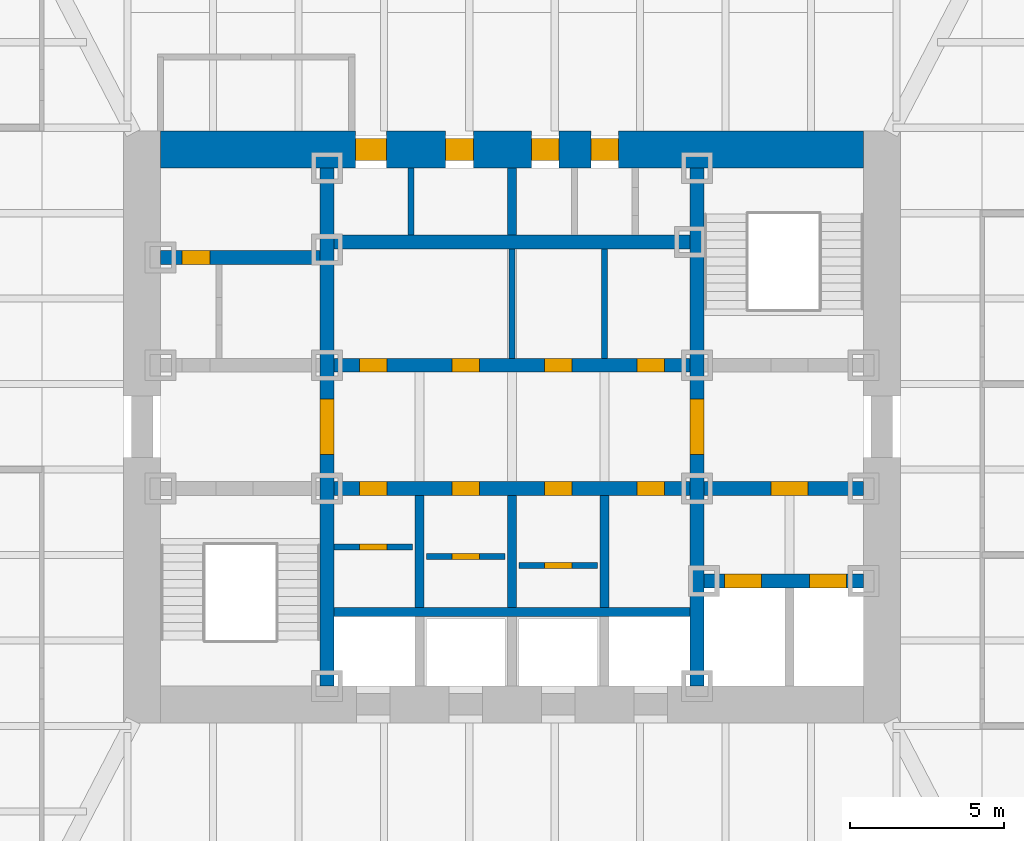
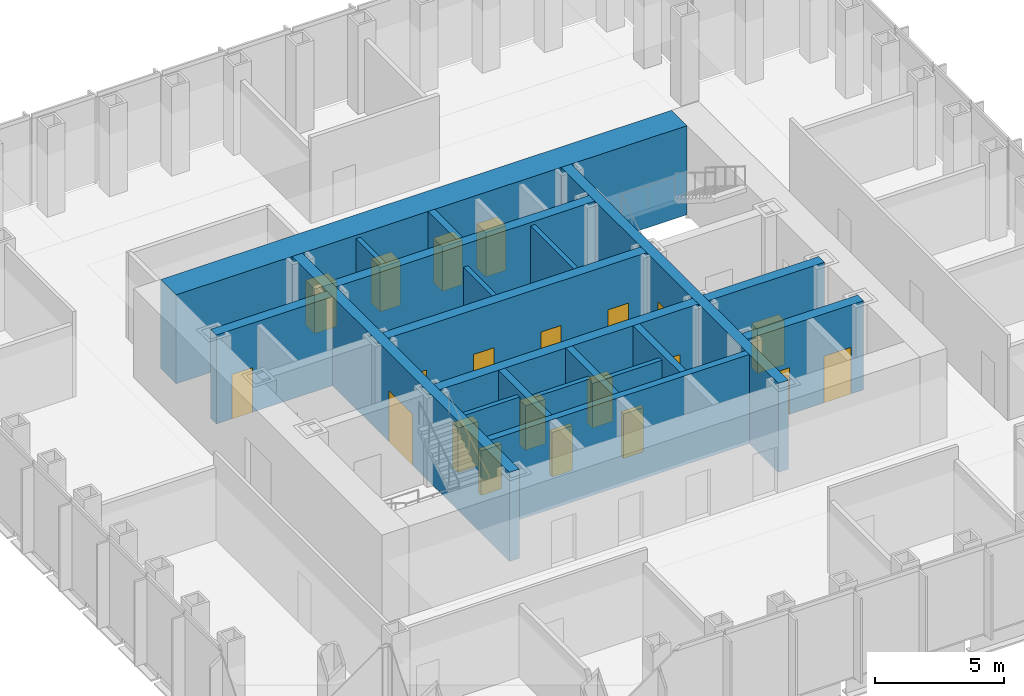
# One storey, part 9 of 16: 21 doors, 20 walls, 21 openings.
"""IFC4 building model written with IfcOpenShell, lengths in metres."""

from ifc_helpers import new_model, si_unit, direction, frame, frame_2d, origin, place, context, subcontext, project, spatial, rectangle, extrude, material, layer, layer_set, type_object, element, fill, save


model = new_model("IFC4")

# Units and contexts
model_context = context("Model", 3, precision=1e-05, world=origin(), true_north=direction((0.0, 1.0)))
body_context = subcontext(model_context, "Body", "Model", "MODEL_VIEW")
ifc_project = project(units=[si_unit("LENGTHUNIT", "METRE"), si_unit("AREAUNIT", "SQUARE_METRE"), si_unit("VOLUMEUNIT", "CUBIC_METRE"), si_unit("PLANEANGLEUNIT", "RADIAN"), si_unit("MASSUNIT", "GRAM", prefix="KILO")], contexts=[model_context])

# Site, building, storey
site_placement = place(None, origin())
site = spatial("IfcSite", under=ifc_project, at=site_placement, CompositionType="ELEMENT")
building_placement = place(site_placement, origin())
building = spatial("IfcBuilding", under=site, at=building_placement, Name="Daluyong Arena Tower", CompositionType="ELEMENT")
storey_placement = place(building_placement, frame((0.0, 0.0, 267.10009765625)))
storey = spatial("IfcBuildingStorey", under=building, at=storey_placement, Name="L60", CompositionType="ELEMENT", Elevation=267.10009765625)

# Wall, opening, door
ifc_material_1 = material(Name="Concrete fc' 45 MPa", Category="concrete")
ifc_layer_1 = layer(ifc_material_1, 0.449951171875)
ifc_layer_set_1 = layer_set([ifc_layer_1], Name="Concrete fc' 45 MPa")
wall_type_1 = type_object("IfcWallType", Name="Core inner wall 450", PredefinedType="SHEAR", material=ifc_layer_set_1)
wall_1_placement = place(storey_placement, frame((50.0, 71.60009765625, 0.0), z_axis=(0.0, 0.0, 1.0), x_axis=(0.0, 1.0, 0.0)))
wall_1 = element("IfcWall", 1, at=wall_1_placement, inside=storey, type_object=wall_type_1, Name="core inner wall at L60", PredefinedType="SHEAR", context=body_context, shape_type="SweptSolid", body=[
    extrude(rectangle(XDim=16.7998046875, YDim=0.449951171875, at=frame_2d((8.39990234375, 0.0))), origin(), (0.0, 0.0, 1.0), 4.199951171875),
])
opening_1_placement = place(wall_1_placement, frame((7.5, 0.0, 0.0)))
opening_1 = element("IfcOpeningElement", 2, at=opening_1_placement, cuts=wall_1, Name="Opening 60024", PredefinedType="OPENING", context=body_context, shape_type="SweptSolid", body=[
    extrude(rectangle(XDim=1.800048828125, YDim=2.39990234375, at=frame_2d((0.89990234375, 1.199951171875))), frame((0.0, 0.23486328125, 0.0), z_axis=(0.0, -1.0, 0.0), x_axis=(1.0, 0.0, 0.0)), (0.0, 0.0, 1.0), 0.469970703125),
])
ifc_material_2 = material(Name="Steel door, fire rated", Category="steel")
door_type_1 = type_object("IfcDoorType", Name="Lift lobby opening door 1800", OperationType="DOUBLE_DOOR_SINGLE_SWING", PredefinedType="DOOR", material=ifc_material_2)
door_1_placement = place(opening_1_placement, origin())
door_1 = element("IfcDoor", 3, at=door_1_placement, inside=storey, type_object=door_type_1, Name="lift lobby door west 60024", OperationType="DOUBLE_DOOR_SINGLE_SWING", OverallHeight=2.39990234375, OverallWidth=1.800048828125, PredefinedType="DOOR", context=body_context, shape_type="SweptSolid", body=[
    extrude(rectangle(XDim=1.800048828125, YDim=2.39990234375, at=frame_2d((0.89990234375, 1.199951171875))), frame((0.0, 0.224609375, 0.0), z_axis=(0.0, -1.0, 0.0), x_axis=(1.0, 0.0, 0.0)), (0.0, 0.0, 1.0), 0.449462890625),
])
fill(opening_1, door_1)

wall_2_placement = place(storey_placement, frame((62.0, 71.60009765625, 0.0), z_axis=(0.0, 0.0, 1.0), x_axis=(0.0, 1.0, 0.0)))
wall_2 = element("IfcWall", 4, at=wall_2_placement, inside=storey, type_object=wall_type_1, Name="core inner wall at L60", PredefinedType="SHEAR", context=body_context, shape_type="SweptSolid", body=[
    extrude(rectangle(XDim=16.7998046875, YDim=0.449951171875, at=frame_2d((8.39990234375, 0.0))), origin(), (0.0, 0.0, 1.0), 4.199951171875),
])
opening_2_placement = place(wall_2_placement, frame((7.5, 0.0, 0.0)))
opening_2 = element("IfcOpeningElement", 5, at=opening_2_placement, cuts=wall_2, Name="Opening 60025", PredefinedType="OPENING", context=body_context, shape_type="SweptSolid", body=[
    extrude(rectangle(XDim=1.800048828125, YDim=2.39990234375, at=frame_2d((0.89990234375, 1.199951171875))), frame((0.0, 0.23486328125, 0.0), z_axis=(0.0, -1.0, 0.0), x_axis=(1.0, 0.0, 0.0)), (0.0, 0.0, 1.0), 0.469970703125),
])
door_2_placement = place(opening_2_placement, origin())
door_2 = element("IfcDoor", 6, at=door_2_placement, inside=storey, type_object=door_type_1, Name="lift lobby door east 60025", OperationType="DOUBLE_DOOR_SINGLE_SWING", OverallHeight=2.39990234375, OverallWidth=1.800048828125, PredefinedType="DOOR", context=body_context, shape_type="SweptSolid", body=[
    extrude(rectangle(XDim=1.800048828125, YDim=2.39990234375, at=frame_2d((0.89990234375, 1.199951171875))), frame((0.0, 0.224609375, 0.0), z_axis=(0.0, -1.0, 0.0), x_axis=(1.0, 0.0, 0.0)), (0.0, 0.0, 1.0), 0.449462890625),
])
fill(opening_2, door_2)

wall_3_placement = place(storey_placement, frame((44.60009765625, 85.5, 0.0), z_axis=(0.0, 0.0, 1.0), x_axis=(1.0, 0.0, 0.0)))
wall_3 = element("IfcWall", 7, at=wall_3_placement, inside=storey, type_object=wall_type_1, Name="core inner wall at L60", PredefinedType="SHEAR", context=body_context, shape_type="SweptSolid", body=[
    extrude(rectangle(XDim=5.1748046875, YDim=0.449951171875, at=frame_2d((2.58740234375, 0.0))), origin(), (0.0, 0.0, 1.0), 4.199951171875),
])
opening_3_placement = place(wall_3_placement, frame((0.699951171875, 0.0, 0.0)))
opening_3 = element("IfcOpeningElement", 8, at=opening_3_placement, cuts=wall_3, Name="Opening 60003", PredefinedType="OPENING", context=body_context, shape_type="SweptSolid", body=[
    extrude(rectangle(XDim=0.89990234375, YDim=2.10009765625, at=frame_2d((0.449951171875, 1.050048828125))), frame((0.0, 0.23486328125, 0.0), z_axis=(0.0, -1.0, 0.0), x_axis=(1.0, 0.0, 0.0)), (0.0, 0.0, 1.0), 0.469970703125),
])
ifc_material_3 = material(Name="Timber door", Category="wood")
door_type_2 = type_object("IfcDoorType", Name="Toilet door 900", OperationType="SINGLE_SWING_RIGHT", PredefinedType="DOOR", material=ifc_material_3)
door_3_placement = place(opening_3_placement, origin())
door_3 = element("IfcDoor", 9, at=door_3_placement, inside=storey, type_object=door_type_2, Name="female toilet door 60003", OperationType="SINGLE_SWING_RIGHT", OverallHeight=2.10009765625, OverallWidth=0.89990234375, PredefinedType="DOOR", context=body_context, shape_type="SweptSolid", body=[
    extrude(rectangle(XDim=0.89990234375, YDim=2.10009765625, at=frame_2d((0.449951171875, 1.050048828125))), frame((0.0, 0.224609375, 0.0), z_axis=(0.0, -1.0, 0.0), x_axis=(1.0, 0.0, 0.0)), (0.0, 0.0, 1.0), 0.449462890625),
])
fill(opening_3, door_3)

# Wall, openings, doors
wall_4_placement = place(storey_placement, frame((62.22509765625, 75.0, 0.0), z_axis=(0.0, 0.0, 1.0), x_axis=(1.0, 0.0, 0.0)))
wall_4 = element("IfcWall", 10, at=wall_4_placement, inside=storey, type_object=wall_type_1, Name="core inner wall at L60", PredefinedType="SHEAR", context=body_context, shape_type="SweptSolid", body=[
    extrude(rectangle(XDim=5.1748046875, YDim=0.449951171875, at=frame_2d((2.58740234375, 0.0))), origin(), (0.0, 0.0, 1.0), 4.199951171875),
])
opening_4_placement = place(wall_4_placement, frame((0.675048828125, 0.0, 0.0)))
opening_4 = element("IfcOpeningElement", 11, at=opening_4_placement, cuts=wall_4, Name="Opening 60031", PredefinedType="OPENING", context=body_context, shape_type="SweptSolid", body=[
    extrude(rectangle(XDim=1.199951171875, YDim=2.199951171875, at=frame_2d((0.60009765625, 1.10009765625))), frame((0.0, 0.23486328125, 0.0), z_axis=(0.0, -1.0, 0.0), x_axis=(1.0, 0.0, 0.0)), (0.0, 0.0, 1.0), 0.469970703125),
])
opening_5_placement = place(wall_4_placement, frame((3.425048828125, 0.0, 0.0)))
opening_5 = element("IfcOpeningElement", 12, at=opening_5_placement, cuts=wall_4, Name="Opening 60032", PredefinedType="OPENING", context=body_context, shape_type="SweptSolid", body=[
    extrude(rectangle(XDim=1.199951171875, YDim=2.199951171875, at=frame_2d((0.60009765625, 1.10009765625))), frame((0.0, 0.23486328125, 0.0), z_axis=(0.0, -1.0, 0.0), x_axis=(1.0, 0.0, 0.0)), (0.0, 0.0, 1.0), 0.469970703125),
])
ifc_material_4 = material(Name="Steel door, fire rated", Category="steel")
door_type_3 = type_object("IfcDoorType", Name="Firefighting lift landing door 1200", OperationType="SLIDING_TO_LEFT", PredefinedType="DOOR", material=ifc_material_4)
door_4_placement = place(opening_4_placement, origin())
door_4 = element("IfcDoor", 13, at=door_4_placement, inside=storey, type_object=door_type_3, Name="firefighting lift landing door F1 60031", OperationType="SLIDING_TO_LEFT", OverallHeight=2.199951171875, OverallWidth=1.199951171875, PredefinedType="DOOR", context=body_context, shape_type="SweptSolid", body=[
    extrude(rectangle(XDim=1.199951171875, YDim=2.199951171875, at=frame_2d((0.60009765625, 1.10009765625))), frame((0.0, 0.224609375, 0.0), z_axis=(0.0, -1.0, 0.0), x_axis=(1.0, 0.0, 0.0)), (0.0, 0.0, 1.0), 0.449462890625),
])
fill(opening_4, door_4)
door_5_placement = place(opening_5_placement, origin())
door_5 = element("IfcDoor", 14, at=door_5_placement, inside=storey, type_object=door_type_3, Name="firefighting lift landing door F2 60032", OperationType="SLIDING_TO_LEFT", OverallHeight=2.199951171875, OverallWidth=1.199951171875, PredefinedType="DOOR", context=body_context, shape_type="SweptSolid", body=[
    extrude(rectangle(XDim=1.199951171875, YDim=2.199951171875, at=frame_2d((0.60009765625, 1.10009765625))), frame((0.0, 0.224609375, 0.0), z_axis=(0.0, -1.0, 0.0), x_axis=(1.0, 0.0, 0.0)), (0.0, 0.0, 1.0), 0.449462890625),
])
fill(opening_5, door_5)

# Wall, opening, door
wall_5_placement = place(storey_placement, frame((62.22509765625, 78.0, 0.0), z_axis=(0.0, 0.0, 1.0), x_axis=(1.0, 0.0, 0.0)))
wall_5 = element("IfcWall", 15, at=wall_5_placement, inside=storey, type_object=wall_type_1, Name="core inner wall at L60", PredefinedType="SHEAR", context=body_context, shape_type="SweptSolid", body=[
    extrude(rectangle(XDim=5.1748046875, YDim=0.449951171875, at=frame_2d((2.58740234375, 0.0))), origin(), (0.0, 0.0, 1.0), 4.199951171875),
])
opening_6_placement = place(wall_5_placement, frame((2.175048828125, 0.0, 0.0)))
opening_6 = element("IfcOpeningElement", 16, at=opening_6_placement, cuts=wall_5, Name="Opening 60026", PredefinedType="OPENING", context=body_context, shape_type="SweptSolid", body=[
    extrude(rectangle(XDim=1.199951171875, YDim=2.10009765625, at=frame_2d((0.60009765625, 1.050048828125))), frame((0.0, 0.23486328125, 0.0), z_axis=(0.0, -1.0, 0.0), x_axis=(1.0, 0.0, 0.0)), (0.0, 0.0, 1.0), 0.469970703125),
])
ifc_material_5 = material(Name="Steel door, fire rated", Category="steel")
door_type_4 = type_object("IfcDoorType", Name="Firefighting lobby door 1200", OperationType="SINGLE_SWING_RIGHT", PredefinedType="DOOR", material=ifc_material_5)
door_6_placement = place(opening_6_placement, origin())
door_6 = element("IfcDoor", 17, at=door_6_placement, inside=storey, type_object=door_type_4, Name="firefighting lobby door 60026", OperationType="SINGLE_SWING_RIGHT", OverallHeight=2.10009765625, OverallWidth=1.199951171875, PredefinedType="DOOR", context=body_context, shape_type="SweptSolid", body=[
    extrude(rectangle(XDim=1.199951171875, YDim=2.10009765625, at=frame_2d((0.60009765625, 1.050048828125))), frame((0.0, 0.224609375, 0.0), z_axis=(0.0, -1.0, 0.0), x_axis=(1.0, 0.0, 0.0)), (0.0, 0.0, 1.0), 0.449462890625),
])
fill(opening_6, door_6)

# Wall, openings, doors
wall_6_placement = place(storey_placement, frame((50.22509765625, 78.0, 0.0), z_axis=(0.0, 0.0, 1.0), x_axis=(1.0, 0.0, 0.0)))
wall_6 = element("IfcWall", 18, at=wall_6_placement, inside=storey, type_object=wall_type_1, Name="core inner wall at L60", PredefinedType="SHEAR", context=body_context, shape_type="SweptSolid", body=[
    extrude(rectangle(XDim=11.5498046875, YDim=0.449951171875, at=frame_2d((5.77490234375, 0.0))), origin(), (0.0, 0.0, 1.0), 4.199951171875),
])
opening_7_placement = place(wall_6_placement, frame((0.824951171875, 0.0, 0.0)))
opening_7 = element("IfcOpeningElement", 19, at=opening_7_placement, cuts=wall_6, Name="Opening 60009", PredefinedType="OPENING", context=body_context, shape_type="SweptSolid", body=[
    extrude(rectangle(XDim=0.89990234375, YDim=2.10009765625, at=frame_2d((0.449951171875, 1.050048828125))), frame((0.0, 0.23486328125, 0.0), z_axis=(0.0, -1.0, 0.0), x_axis=(1.0, 0.0, 0.0)), (0.0, 0.0, 1.0), 0.469970703125),
])
opening_8_placement = place(wall_6_placement, frame((3.824951171875, 0.0, 0.0)))
opening_8 = element("IfcOpeningElement", 20, at=opening_8_placement, cuts=wall_6, Name="Opening 60011", PredefinedType="OPENING", context=body_context, shape_type="SweptSolid", body=[
    extrude(rectangle(XDim=0.89990234375, YDim=2.10009765625, at=frame_2d((0.449951171875, 1.050048828125))), frame((0.0, 0.23486328125, 0.0), z_axis=(0.0, -1.0, 0.0), x_axis=(1.0, 0.0, 0.0)), (0.0, 0.0, 1.0), 0.469970703125),
])
opening_9_placement = place(wall_6_placement, frame((6.824951171875, 0.0, 0.0)))
opening_9 = element("IfcOpeningElement", 21, at=opening_9_placement, cuts=wall_6, Name="Opening 60013", PredefinedType="OPENING", context=body_context, shape_type="SweptSolid", body=[
    extrude(rectangle(XDim=0.89990234375, YDim=2.10009765625, at=frame_2d((0.449951171875, 1.050048828125))), frame((0.0, 0.23486328125, 0.0), z_axis=(0.0, -1.0, 0.0), x_axis=(1.0, 0.0, 0.0)), (0.0, 0.0, 1.0), 0.469970703125),
])
opening_10_placement = place(wall_6_placement, frame((9.824951171875, 0.0, 0.0)))
opening_10 = element("IfcOpeningElement", 22, at=opening_10_placement, cuts=wall_6, Name="Opening 60015", PredefinedType="OPENING", context=body_context, shape_type="SweptSolid", body=[
    extrude(rectangle(XDim=0.89990234375, YDim=2.10009765625, at=frame_2d((0.449951171875, 1.050048828125))), frame((0.0, 0.23486328125, 0.0), z_axis=(0.0, -1.0, 0.0), x_axis=(1.0, 0.0, 0.0)), (0.0, 0.0, 1.0), 0.469970703125),
])
ifc_material_6 = material(Name="Steel door, fire rated", Category="steel")
door_type_5 = type_object("IfcDoorType", Name="Core store door 900", OperationType="SINGLE_SWING_LEFT", PredefinedType="DOOR", material=ifc_material_6)
door_7_placement = place(opening_7_placement, origin())
door_7 = element("IfcDoor", 23, at=door_7_placement, inside=storey, type_object=door_type_5, Name="stationery store door 60009", OperationType="SINGLE_SWING_LEFT", OverallHeight=2.10009765625, OverallWidth=0.89990234375, PredefinedType="DOOR", context=body_context, shape_type="SweptSolid", body=[
    extrude(rectangle(XDim=0.89990234375, YDim=2.10009765625, at=frame_2d((0.449951171875, 1.050048828125))), frame((0.0, 0.224609375, 0.0), z_axis=(0.0, -1.0, 0.0), x_axis=(1.0, 0.0, 0.0)), (0.0, 0.0, 1.0), 0.449462890625),
])
fill(opening_7, door_7)
door_8_placement = place(opening_8_placement, origin())
door_8 = element("IfcDoor", 24, at=door_8_placement, inside=storey, type_object=door_type_5, Name="facilities store door 60011", OperationType="SINGLE_SWING_LEFT", OverallHeight=2.10009765625, OverallWidth=0.89990234375, PredefinedType="DOOR", context=body_context, shape_type="SweptSolid", body=[
    extrude(rectangle(XDim=0.89990234375, YDim=2.10009765625, at=frame_2d((0.449951171875, 1.050048828125))), frame((0.0, 0.224609375, 0.0), z_axis=(0.0, -1.0, 0.0), x_axis=(1.0, 0.0, 0.0)), (0.0, 0.0, 1.0), 0.449462890625),
])
fill(opening_8, door_8)
door_9_placement = place(opening_9_placement, origin())
door_9 = element("IfcDoor", 25, at=door_9_placement, inside=storey, type_object=door_type_5, Name="tenant store door 60013", OperationType="SINGLE_SWING_LEFT", OverallHeight=2.10009765625, OverallWidth=0.89990234375, PredefinedType="DOOR", context=body_context, shape_type="SweptSolid", body=[
    extrude(rectangle(XDim=0.89990234375, YDim=2.10009765625, at=frame_2d((0.449951171875, 1.050048828125))), frame((0.0, 0.224609375, 0.0), z_axis=(0.0, -1.0, 0.0), x_axis=(1.0, 0.0, 0.0)), (0.0, 0.0, 1.0), 0.449462890625),
])
fill(opening_9, door_9)
ifc_material_7 = material(Name="Steel door, fire rated", Category="steel")
door_type_6 = type_object("IfcDoorType", Name="Plant room door 900", OperationType="SINGLE_SWING_LEFT", PredefinedType="DOOR", material=ifc_material_7)
door_10_placement = place(opening_10_placement, origin())
door_10 = element("IfcDoor", 26, at=door_10_placement, inside=storey, type_object=door_type_6, Name="comms room door 60015", OperationType="SINGLE_SWING_LEFT", OverallHeight=2.10009765625, OverallWidth=0.89990234375, PredefinedType="DOOR", context=body_context, shape_type="SweptSolid", body=[
    extrude(rectangle(XDim=0.89990234375, YDim=2.10009765625, at=frame_2d((0.449951171875, 1.050048828125))), frame((0.0, 0.224609375, 0.0), z_axis=(0.0, -1.0, 0.0), x_axis=(1.0, 0.0, 0.0)), (0.0, 0.0, 1.0), 0.449462890625),
])
fill(opening_10, door_10)

wall_7_placement = place(storey_placement, frame((50.22509765625, 82.0, 0.0), z_axis=(0.0, 0.0, 1.0), x_axis=(1.0, 0.0, 0.0)))
wall_7 = element("IfcWall", 27, at=wall_7_placement, inside=storey, type_object=wall_type_1, Name="core inner wall at L60", PredefinedType="SHEAR", context=body_context, shape_type="SweptSolid", body=[
    extrude(rectangle(XDim=11.5498046875, YDim=0.449951171875, at=frame_2d((5.77490234375, 0.0))), origin(), (0.0, 0.0, 1.0), 4.199951171875),
])
opening_11_placement = place(wall_7_placement, frame((0.824951171875, 0.0, 0.0)))
opening_11 = element("IfcOpeningElement", 28, at=opening_11_placement, cuts=wall_7, Name="Opening 60016", PredefinedType="OPENING", context=body_context, shape_type="SweptSolid", body=[
    extrude(rectangle(XDim=0.89990234375, YDim=2.10009765625, at=frame_2d((0.449951171875, 1.050048828125))), frame((0.0, 0.23486328125, 0.0), z_axis=(0.0, -1.0, 0.0), x_axis=(1.0, 0.0, 0.0)), (0.0, 0.0, 1.0), 0.469970703125),
])
opening_12_placement = place(wall_7_placement, frame((3.824951171875, 0.0, 0.0)))
opening_12 = element("IfcOpeningElement", 29, at=opening_12_placement, cuts=wall_7, Name="Opening 60017", PredefinedType="OPENING", context=body_context, shape_type="SweptSolid", body=[
    extrude(rectangle(XDim=0.89990234375, YDim=2.10009765625, at=frame_2d((0.449951171875, 1.050048828125))), frame((0.0, 0.23486328125, 0.0), z_axis=(0.0, -1.0, 0.0), x_axis=(1.0, 0.0, 0.0)), (0.0, 0.0, 1.0), 0.469970703125),
])
opening_13_placement = place(wall_7_placement, frame((6.824951171875, 0.0, 0.0)))
opening_13 = element("IfcOpeningElement", 30, at=opening_13_placement, cuts=wall_7, Name="Opening 60018", PredefinedType="OPENING", context=body_context, shape_type="SweptSolid", body=[
    extrude(rectangle(XDim=0.89990234375, YDim=2.10009765625, at=frame_2d((0.449951171875, 1.050048828125))), frame((0.0, 0.23486328125, 0.0), z_axis=(0.0, -1.0, 0.0), x_axis=(1.0, 0.0, 0.0)), (0.0, 0.0, 1.0), 0.469970703125),
])
opening_14_placement = place(wall_7_placement, frame((9.824951171875, 0.0, 0.0)))
opening_14 = element("IfcOpeningElement", 31, at=opening_14_placement, cuts=wall_7, Name="Opening 60019", PredefinedType="OPENING", context=body_context, shape_type="SweptSolid", body=[
    extrude(rectangle(XDim=0.89990234375, YDim=2.10009765625, at=frame_2d((0.449951171875, 1.050048828125))), frame((0.0, 0.23486328125, 0.0), z_axis=(0.0, -1.0, 0.0), x_axis=(1.0, 0.0, 0.0)), (0.0, 0.0, 1.0), 0.469970703125),
])
ifc_material_8 = material(Name="Steel door, fire rated", Category="steel")
door_type_7 = type_object("IfcDoorType", Name="Core room door 900", OperationType="SINGLE_SWING_LEFT", PredefinedType="DOOR", material=ifc_material_8)
door_11_placement = place(opening_11_placement, origin())
door_11 = element("IfcDoor", 32, at=door_11_placement, inside=storey, type_object=door_type_7, Name="staff pantry door 60016", OperationType="SINGLE_SWING_LEFT", OverallHeight=2.10009765625, OverallWidth=0.89990234375, PredefinedType="DOOR", context=body_context, shape_type="SweptSolid", body=[
    extrude(rectangle(XDim=0.89990234375, YDim=2.10009765625, at=frame_2d((0.449951171875, 1.050048828125))), frame((0.0, 0.224609375, 0.0), z_axis=(0.0, -1.0, 0.0), x_axis=(1.0, 0.0, 0.0)), (0.0, 0.0, 1.0), 0.449462890625),
])
fill(opening_11, door_11)
door_12_placement = place(opening_12_placement, origin())
door_12 = element("IfcDoor", 33, at=door_12_placement, inside=storey, type_object=door_type_7, Name="staff pantry door 60017", OperationType="SINGLE_SWING_LEFT", OverallHeight=2.10009765625, OverallWidth=0.89990234375, PredefinedType="DOOR", context=body_context, shape_type="SweptSolid", body=[
    extrude(rectangle(XDim=0.89990234375, YDim=2.10009765625, at=frame_2d((0.449951171875, 1.050048828125))), frame((0.0, 0.224609375, 0.0), z_axis=(0.0, -1.0, 0.0), x_axis=(1.0, 0.0, 0.0)), (0.0, 0.0, 1.0), 0.449462890625),
])
fill(opening_12, door_12)
door_13_placement = place(opening_13_placement, origin())
door_13 = element("IfcDoor", 34, at=door_13_placement, inside=storey, type_object=door_type_7, Name="parcel room door 60018", OperationType="SINGLE_SWING_LEFT", OverallHeight=2.10009765625, OverallWidth=0.89990234375, PredefinedType="DOOR", context=body_context, shape_type="SweptSolid", body=[
    extrude(rectangle(XDim=0.89990234375, YDim=2.10009765625, at=frame_2d((0.449951171875, 1.050048828125))), frame((0.0, 0.224609375, 0.0), z_axis=(0.0, -1.0, 0.0), x_axis=(1.0, 0.0, 0.0)), (0.0, 0.0, 1.0), 0.449462890625),
])
fill(opening_13, door_13)
door_14_placement = place(opening_14_placement, origin())
door_14 = element("IfcDoor", 35, at=door_14_placement, inside=storey, type_object=door_type_7, Name="vending room door 60019", OperationType="SINGLE_SWING_LEFT", OverallHeight=2.10009765625, OverallWidth=0.89990234375, PredefinedType="DOOR", context=body_context, shape_type="SweptSolid", body=[
    extrude(rectangle(XDim=0.89990234375, YDim=2.10009765625, at=frame_2d((0.449951171875, 1.050048828125))), frame((0.0, 0.224609375, 0.0), z_axis=(0.0, -1.0, 0.0), x_axis=(1.0, 0.0, 0.0)), (0.0, 0.0, 1.0), 0.449462890625),
])
fill(opening_14, door_14)

# Wall
wall_8_placement = place(storey_placement, frame((50.22509765625, 86.0, 0.0), z_axis=(0.0, 0.0, 1.0), x_axis=(1.0, 0.0, 0.0)))
element("IfcWall", 36, at=wall_8_placement, inside=storey, type_object=wall_type_1, Name="core inner wall at L60", PredefinedType="SHEAR", context=body_context, shape_type="SweptSolid", body=[
    extrude(rectangle(XDim=11.5498046875, YDim=0.449951171875, at=frame_2d((5.77490234375, 0.0))), origin(), (0.0, 0.0, 1.0), 4.199951171875),
])

# Wall, openings, doors
ifc_material_9 = material(Name="Concrete fc' 60 MPa", Category="concrete")
ifc_layer_2 = layer(ifc_material_9, 1.199951171875)
ifc_layer_set_2 = layer_set([ifc_layer_2], Name="Concrete fc' 60 MPa")
wall_type_2 = type_object("IfcWallType", Name="Core wall 1200", PredefinedType="SHEAR", material=ifc_layer_set_2)
wall_9_placement = place(storey_placement, frame((44.60009765625, 89.0, 0.0), z_axis=(0.0, 0.0, 1.0), x_axis=(1.0, 0.0, 0.0)))
wall_9 = element("IfcWall", 37, at=wall_9_placement, inside=storey, type_object=wall_type_2, Name="core wall at L60", PredefinedType="SHEAR", context=body_context, shape_type="SweptSolid", body=[
    extrude(rectangle(XDim=22.7998046875, YDim=1.199951171875, at=frame_2d((11.39990234375, 0.0))), origin(), (0.0, 0.0, 1.0), 4.199951171875),
])
opening_15_placement = place(wall_9_placement, frame((6.324951171875, 0.0, 0.0)))
opening_15 = element("IfcOpeningElement", 38, at=opening_15_placement, cuts=wall_9, Name="Opening 60004", PredefinedType="OPENING", context=body_context, shape_type="SweptSolid", body=[
    extrude(rectangle(XDim=1.0, YDim=2.10009765625, at=frame_2d((0.5, 1.050048828125))), frame((0.0, 0.60986328125, 0.0), z_axis=(0.0, -1.0, 0.0), x_axis=(1.0, 0.0, 0.0)), (0.0, 0.0, 1.0), 1.219970703125),
])
opening_16_placement = place(wall_9_placement, frame((9.25, 0.0, 0.0)))
opening_16 = element("IfcOpeningElement", 39, at=opening_16_placement, cuts=wall_9, Name="Opening 60005", PredefinedType="OPENING", context=body_context, shape_type="SweptSolid", body=[
    extrude(rectangle(XDim=0.89990234375, YDim=2.10009765625, at=frame_2d((0.449951171875, 1.050048828125))), frame((0.0, 0.60986328125, 0.0), z_axis=(0.0, -1.0, 0.0), x_axis=(1.0, 0.0, 0.0)), (0.0, 0.0, 1.0), 1.219970703125),
])
opening_17_placement = place(wall_9_placement, frame((12.02490234375, 0.0, 0.0)))
opening_17 = element("IfcOpeningElement", 40, at=opening_17_placement, cuts=wall_9, Name="Opening 60006", PredefinedType="OPENING", context=body_context, shape_type="SweptSolid", body=[
    extrude(rectangle(XDim=0.89990234375, YDim=2.10009765625, at=frame_2d((0.449951171875, 1.050048828125))), frame((0.0, 0.60986328125, 0.0), z_axis=(0.0, -1.0, 0.0), x_axis=(1.0, 0.0, 0.0)), (0.0, 0.0, 1.0), 1.219970703125),
])
opening_18_placement = place(wall_9_placement, frame((13.96240234375, 0.0, 0.0)))
opening_18 = element("IfcOpeningElement", 41, at=opening_18_placement, cuts=wall_9, Name="Opening 60007", PredefinedType="OPENING", context=body_context, shape_type="SweptSolid", body=[
    extrude(rectangle(XDim=0.89990234375, YDim=2.10009765625, at=frame_2d((0.449951171875, 1.050048828125))), frame((0.0, 0.60986328125, 0.0), z_axis=(0.0, -1.0, 0.0), x_axis=(1.0, 0.0, 0.0)), (0.0, 0.0, 1.0), 1.219970703125),
])
ifc_material_10 = material(Name="Timber door", Category="wood")
door_type_8 = type_object("IfcDoorType", Name="Accessible toilet door 1000", OperationType="SINGLE_SWING_LEFT", PredefinedType="DOOR", material=ifc_material_10)
door_15_placement = place(opening_15_placement, origin())
door_15 = element("IfcDoor", 42, at=door_15_placement, inside=storey, type_object=door_type_8, Name="accessible toilet door 60004", OperationType="SINGLE_SWING_LEFT", OverallHeight=2.10009765625, OverallWidth=1.0, PredefinedType="DOOR", context=body_context, shape_type="SweptSolid", body=[
    extrude(rectangle(XDim=1.0, YDim=2.10009765625, at=frame_2d((0.5, 1.050048828125))), frame((0.0, 0.35009765625, 0.0), z_axis=(0.0, -1.0, 0.0), x_axis=(1.0, 0.0, 0.0)), (0.0, 0.0, 1.0), 0.699951171875),
])
fill(opening_15, door_15)
door_16_placement = place(opening_16_placement, origin())
door_16 = element("IfcDoor", 43, at=door_16_placement, inside=storey, type_object=door_type_7, Name="tea point door 60005", OperationType="SINGLE_SWING_LEFT", OverallHeight=2.10009765625, OverallWidth=0.89990234375, PredefinedType="DOOR", context=body_context, shape_type="SweptSolid", body=[
    extrude(rectangle(XDim=0.89990234375, YDim=2.10009765625, at=frame_2d((0.449951171875, 1.050048828125))), frame((0.0, 0.35009765625, 0.0), z_axis=(0.0, -1.0, 0.0), x_axis=(1.0, 0.0, 0.0)), (0.0, 0.0, 1.0), 0.699951171875),
])
fill(opening_16, door_16)
door_17_placement = place(opening_18_placement, origin())
door_17 = element("IfcDoor", 44, at=door_17_placement, inside=storey, type_object=door_type_7, Name="print room door 60007", OperationType="SINGLE_SWING_LEFT", OverallHeight=2.10009765625, OverallWidth=0.89990234375, PredefinedType="DOOR", context=body_context, shape_type="SweptSolid", body=[
    extrude(rectangle(XDim=0.89990234375, YDim=2.10009765625, at=frame_2d((0.449951171875, 1.050048828125))), frame((0.0, 0.35009765625, 0.0), z_axis=(0.0, -1.0, 0.0), x_axis=(1.0, 0.0, 0.0)), (0.0, 0.0, 1.0), 0.699951171875),
])
fill(opening_18, door_17)
door_18_placement = place(opening_17_placement, origin())
door_18 = element("IfcDoor", 45, at=door_18_placement, inside=storey, type_object=door_type_5, Name="furniture store door 60006", OperationType="SINGLE_SWING_LEFT", OverallHeight=2.10009765625, OverallWidth=0.89990234375, PredefinedType="DOOR", context=body_context, shape_type="SweptSolid", body=[
    extrude(rectangle(XDim=0.89990234375, YDim=2.10009765625, at=frame_2d((0.449951171875, 1.050048828125))), frame((0.0, 0.35009765625, 0.0), z_axis=(0.0, -1.0, 0.0), x_axis=(1.0, 0.0, 0.0)), (0.0, 0.0, 1.0), 0.699951171875),
])
fill(opening_17, door_18)

# Wall
ifc_material_11 = material(Name="Concrete block partition, fire rated", Category="concrete")
ifc_layer_3 = layer(ifc_material_11, 0.199951171875)
ifc_layer_set_3 = layer_set([ifc_layer_3], Name="Concrete block partition, fire rated")
wall_type_3 = type_object("IfcWallType", Name="Fire-rated partition 200", PredefinedType="PARTITIONING", material=ifc_layer_set_3)
wall_10_placement = place(storey_placement, frame((52.72509765625, 86.22509765625, 0.0), z_axis=(0.0, 0.0, 1.0), x_axis=(0.0, 1.0, 0.0)))
element("IfcWall", 46, at=wall_10_placement, inside=storey, type_object=wall_type_3, Name="core room partition at L60", PredefinedType="PARTITIONING", context=body_context, shape_type="SweptSolid", body=[
    extrude(rectangle(XDim=2.1748046875, YDim=0.199951171875, at=frame_2d((1.08740234375, 0.0))), origin(), (0.0, 0.0, 1.0), 4.039794921875),
])

# Wall, opening, door
wall_11_placement = place(storey_placement, frame((50.22509765625, 76.10009765625, 0.0), z_axis=(0.0, 0.0, 1.0), x_axis=(1.0, 0.0, 0.0)))
wall_11 = element("IfcWall", 47, at=wall_11_placement, inside=storey, type_object=wall_type_3, Name="back store partition at L60", PredefinedType="PARTITIONING", context=body_context, shape_type="SweptSolid", body=[
    extrude(rectangle(XDim=2.5498046875, YDim=0.199951171875, at=frame_2d((1.27490234375, 0.0))), origin(), (0.0, 0.0, 1.0), 4.039794921875),
])
opening_19_placement = place(wall_11_placement, frame((0.824951171875, 0.0, 0.0)))
opening_19 = element("IfcOpeningElement", 48, at=opening_19_placement, cuts=wall_11, Name="Opening 60010", PredefinedType="OPENING", context=body_context, shape_type="SweptSolid", body=[
    extrude(rectangle(XDim=0.89990234375, YDim=2.10009765625, at=frame_2d((0.449951171875, 1.050048828125))), frame((0.0, 0.10986328125, 0.0), z_axis=(0.0, -1.0, 0.0), x_axis=(1.0, 0.0, 0.0)), (0.0, 0.0, 1.0), 0.219970703125),
])
door_19_placement = place(opening_19_placement, origin())
door_19 = element("IfcDoor", 49, at=door_19_placement, inside=storey, type_object=door_type_5, Name="cleaner's store door 60010", OperationType="SINGLE_SWING_LEFT", OverallHeight=2.10009765625, OverallWidth=0.89990234375, PredefinedType="DOOR", context=body_context, shape_type="SweptSolid", body=[
    extrude(rectangle(XDim=0.89990234375, YDim=2.10009765625, at=frame_2d((0.449951171875, 1.050048828125))), frame((0.0, 0.099609375, 0.0), z_axis=(0.0, -1.0, 0.0), x_axis=(1.0, 0.0, 0.0)), (0.0, 0.0, 1.0), 0.199462890625),
])
fill(opening_19, door_19)

wall_12_placement = place(storey_placement, frame((53.22509765625, 75.800048828125, 0.0), z_axis=(0.0, 0.0, 1.0), x_axis=(1.0, 0.0, 0.0)))
wall_12 = element("IfcWall", 50, at=wall_12_placement, inside=storey, type_object=wall_type_3, Name="back store partition at L60", PredefinedType="PARTITIONING", context=body_context, shape_type="SweptSolid", body=[
    extrude(rectangle(XDim=2.5498046875, YDim=0.199951171875, at=frame_2d((1.27490234375, 0.0))), origin(), (0.0, 0.0, 1.0), 4.039794921875),
])
opening_20_placement = place(wall_12_placement, frame((0.824951171875, 0.0, 0.0)))
opening_20 = element("IfcOpeningElement", 51, at=opening_20_placement, cuts=wall_12, Name="Opening 60012", PredefinedType="OPENING", context=body_context, shape_type="SweptSolid", body=[
    extrude(rectangle(XDim=0.89990234375, YDim=2.10009765625, at=frame_2d((0.449951171875, 1.050048828125))), frame((0.0, 0.10986328125, 0.0), z_axis=(0.0, -1.0, 0.0), x_axis=(1.0, 0.0, 0.0)), (0.0, 0.0, 1.0), 0.219970703125),
])
door_20_placement = place(opening_20_placement, origin())
door_20 = element("IfcDoor", 52, at=door_20_placement, inside=storey, type_object=door_type_5, Name="security store door 60012", OperationType="SINGLE_SWING_LEFT", OverallHeight=2.10009765625, OverallWidth=0.89990234375, PredefinedType="DOOR", context=body_context, shape_type="SweptSolid", body=[
    extrude(rectangle(XDim=0.89990234375, YDim=2.10009765625, at=frame_2d((0.449951171875, 1.050048828125))), frame((0.0, 0.099609375, 0.0), z_axis=(0.0, -1.0, 0.0), x_axis=(1.0, 0.0, 0.0)), (0.0, 0.0, 1.0), 0.199462890625),
])
fill(opening_20, door_20)

wall_13_placement = place(storey_placement, frame((56.22509765625, 75.5, 0.0), z_axis=(0.0, 0.0, 1.0), x_axis=(1.0, 0.0, 0.0)))
wall_13 = element("IfcWall", 53, at=wall_13_placement, inside=storey, type_object=wall_type_3, Name="back store partition at L60", PredefinedType="PARTITIONING", context=body_context, shape_type="SweptSolid", body=[
    extrude(rectangle(XDim=2.5498046875, YDim=0.199951171875, at=frame_2d((1.27490234375, 0.0))), origin(), (0.0, 0.0, 1.0), 4.039794921875),
])
opening_21_placement = place(wall_13_placement, frame((0.824951171875, 0.0, 0.0)))
opening_21 = element("IfcOpeningElement", 54, at=opening_21_placement, cuts=wall_13, Name="Opening 60014", PredefinedType="OPENING", context=body_context, shape_type="SweptSolid", body=[
    extrude(rectangle(XDim=0.89990234375, YDim=2.10009765625, at=frame_2d((0.449951171875, 1.050048828125))), frame((0.0, 0.10986328125, 0.0), z_axis=(0.0, -1.0, 0.0), x_axis=(1.0, 0.0, 0.0)), (0.0, 0.0, 1.0), 0.219970703125),
])
door_21_placement = place(opening_21_placement, origin())
door_21 = element("IfcDoor", 55, at=door_21_placement, inside=storey, type_object=door_type_5, Name="archive store door 60014", OperationType="SINGLE_SWING_LEFT", OverallHeight=2.10009765625, OverallWidth=0.89990234375, PredefinedType="DOOR", context=body_context, shape_type="SweptSolid", body=[
    extrude(rectangle(XDim=0.89990234375, YDim=2.10009765625, at=frame_2d((0.449951171875, 1.050048828125))), frame((0.0, 0.099609375, 0.0), z_axis=(0.0, -1.0, 0.0), x_axis=(1.0, 0.0, 0.0)), (0.0, 0.0, 1.0), 0.199462890625),
])
fill(opening_21, door_21)

# Walls
wall_14_placement = place(storey_placement, frame((56.0, 82.22509765625, 0.0), z_axis=(0.0, 0.0, 1.0), x_axis=(0.0, 1.0, 0.0)))
element("IfcWall", 56, at=wall_14_placement, inside=storey, type_object=wall_type_3, Name="core room partition at L60", PredefinedType="PARTITIONING", context=body_context, shape_type="SweptSolid", body=[
    extrude(rectangle(XDim=3.5498046875, YDim=0.199951171875, at=frame_2d((1.77490234375, 0.0))), origin(), (0.0, 0.0, 1.0), 3.139892578125),
])
wall_15_placement = place(storey_placement, frame((59.0, 82.22509765625, 0.0), z_axis=(0.0, 0.0, 1.0), x_axis=(0.0, 1.0, 0.0)))
element("IfcWall", 57, at=wall_15_placement, inside=storey, type_object=wall_type_3, Name="core room partition at L60", PredefinedType="PARTITIONING", context=body_context, shape_type="SweptSolid", body=[
    extrude(rectangle(XDim=3.5498046875, YDim=0.199951171875, at=frame_2d((1.77490234375, 0.0))), origin(), (0.0, 0.0, 1.0), 4.039794921875),
])
ifc_material_12 = material(Name="Concrete fc' 45 MPa", Category="concrete")
ifc_layer_4 = layer(ifc_material_12, 0.300048828125)
ifc_layer_set_4 = layer_set([ifc_layer_4], Name="Concrete fc' 45 MPa")
wall_type_4 = type_object("IfcWallType", Name="Lift shaft wall 300", PredefinedType="SHEAR", material=ifc_layer_set_4)
wall_16_placement = place(storey_placement, frame((50.22509765625, 74.0, 0.0), z_axis=(0.0, 0.0, 1.0), x_axis=(1.0, 0.0, 0.0)))
element("IfcWall", 58, at=wall_16_placement, inside=storey, type_object=wall_type_4, Name="lift shaft wall at L60", PredefinedType="SHEAR", context=body_context, shape_type="SweptSolid", body=[
    extrude(rectangle(XDim=11.5498046875, YDim=0.300048828125, at=frame_2d((5.77490234375, 0.0))), origin(), (0.0, 0.0, 1.0), 4.199951171875),
])
for number, where, z_axis, x_axis, name in (
    (59, (53.0, 74.14990234375, 0.0), (0.0, 0.0, 1.0), (0.0, 1.0, 0.0), "lift shaft wall at L60"),
    (60, (56.0, 74.14990234375, 0.0), (0.0, 0.0, 1.0), (0.0, 1.0, 0.0), "lift shaft wall at L60"),
    (61, (59.0, 74.14990234375, 0.0), (0.0, 0.0, 1.0), (0.0, 1.0, 0.0), "lift shaft wall at L60"),
):
    element("IfcWall", number, at=place(storey_placement, frame(where, z_axis=z_axis, x_axis=x_axis)), inside=storey, type_object=wall_type_4, Name=name, PredefinedType="SHEAR", context=body_context, shape_type="SweptSolid", body=[
        extrude(rectangle(XDim=3.625, YDim=0.300048828125, at=frame_2d((1.8125, 0.0))), origin(), (0.0, 0.0, 1.0), 4.199951171875),
    ])
wall_17_placement = place(storey_placement, frame((56.0, 86.22509765625, 0.0), z_axis=(0.0, 0.0, 1.0), x_axis=(0.0, 1.0, 0.0)))
element("IfcWall", 62, at=wall_17_placement, inside=storey, type_object=wall_type_4, Name="lift shaft wall at L60", PredefinedType="SHEAR", context=body_context, shape_type="SweptSolid", body=[
    extrude(rectangle(XDim=2.1748046875, YDim=0.300048828125, at=frame_2d((1.08740234375, 0.0))), origin(), (0.0, 0.0, 1.0), 4.199951171875),
])

save(model, "model.ifc")
